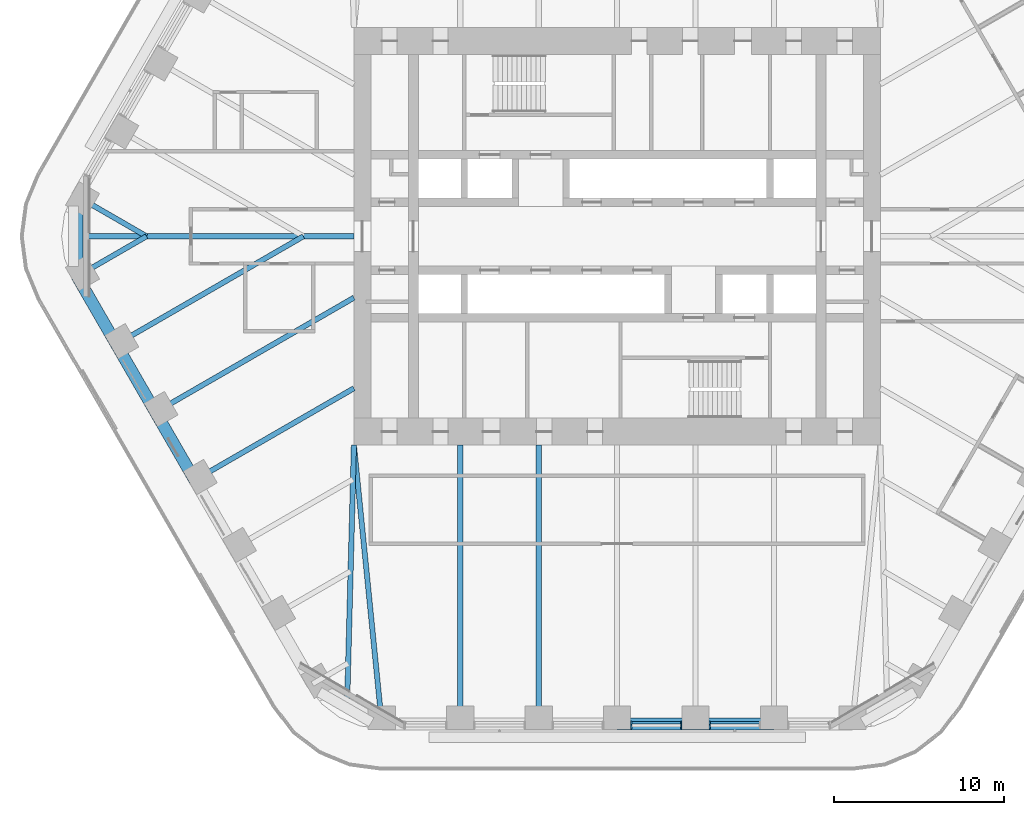
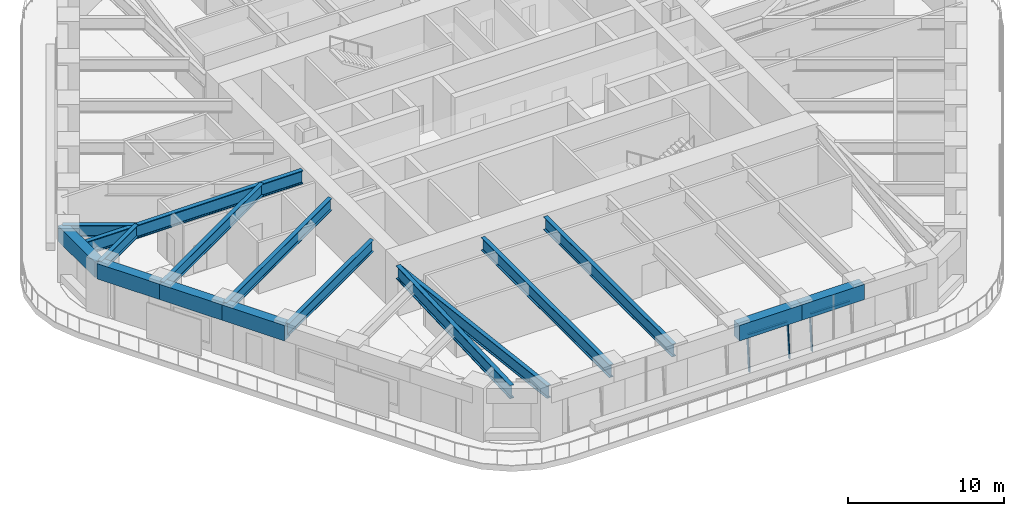
# One storey, part 3 of 20: 16 beams, 5 members, 2 elements without a shape of their own.
"""IFC4 building model written with IfcOpenShell, lengths in metres."""

from ifc_helpers import new_model, si_unit, direction, frame, origin, origin_2d, place, context, subcontext, project, spatial, rectangle, i_section, extrude, material, material_profile, profile_set, type_object, element, aggregate, save


model = new_model("IFC4")

# Units and contexts
model_context = context("Model", 3, precision=1e-05, world=origin(), true_north=direction((0.0, 1.0)))
body_context = subcontext(model_context, "Body", "Model", "MODEL_VIEW")
ifc_project = project(units=[si_unit("LENGTHUNIT", "METRE"), si_unit("AREAUNIT", "SQUARE_METRE"), si_unit("VOLUMEUNIT", "CUBIC_METRE"), si_unit("PLANEANGLEUNIT", "RADIAN"), si_unit("MASSUNIT", "GRAM", prefix="KILO")], contexts=[model_context])

# Site, building, storey
site_placement = place(None, origin())
site = spatial("IfcSite", under=ifc_project, at=site_placement, CompositionType="ELEMENT")
building_placement = place(site_placement, origin())
building = spatial("IfcBuilding", under=site, at=building_placement, Name="Tarfa Lantern Tower", CompositionType="ELEMENT")
storey_placement = place(building_placement, frame((0.0, 0.0, 232.300048828125)))
storey = spatial("IfcBuildingStorey", under=building, at=storey_placement, Name="L52", CompositionType="ELEMENT", Elevation=232.300048828125)

# Curtain wall, members
ifc_material_1 = material(Name="Aluminium framed curtain wall", Category="aluminium")
curtain_wall_type = type_object("IfcCurtainWallType", Name="CW3 CANTED GLAZING HIGH ZONE 2800", PredefinedType="USERDEFINED", material=ifc_material_1)
curtain_wall_1_placement = place(storey_placement, origin())
curtain_wall_1 = element("IfcCurtainWall", 1, at=curtain_wall_1_placement, inside=storey, type_object=curtain_wall_type, Name="CW3 S L52", ObjectType="CURTAIN WALL", PredefinedType="USERDEFINED")
ifc_material_2 = material(Name="Aluminium mullion", Category="aluminium")
ifc_material_profile_1 = material_profile(ifc_material_2, rectangle(XDim=0.06494140625, YDim=0.199951171875, at=origin_2d()), Name="AL MULLION 65x200")
ifc_profile_set_1 = profile_set([ifc_material_profile_1], Name="Aluminium mullion")
member_type_1 = type_object("IfcMemberType", Name="CWM1 MULLION 65x200", PredefinedType="MULLION", material=ifc_profile_set_1)
member_1_placement = place(storey_placement, frame((0.83251953125, -28.89990234375, 0.0), z_axis=(0.0, 0.088930399417, 0.996037842685), x_axis=(-1.0, 0.0, 0.0)))
member_1 = element("IfcMember", 2, at=member_1_placement, type_object=member_type_1, Name="CW3 mullion 1", PredefinedType="MULLION", context=body_context, shape_type="SweptSolid", body=[
    extrude(rectangle(XDim=0.06494140625, YDim=0.199951171875, at=origin_2d()), origin(), (0.0, 0.0, 1.0), 2.811279296875),
])
member_2_placement = place(storey_placement, frame((3.786376953125, -28.89990234375, 0.0), z_axis=(0.0, 0.088930399417, 0.996037842685), x_axis=(-1.0, 0.0, 0.0)))
member_2 = element("IfcMember", 3, at=member_2_placement, type_object=member_type_1, Name="CW3 mullion 2", PredefinedType="MULLION", context=body_context, shape_type="SweptSolid", body=[
    extrude(rectangle(XDim=0.06494140625, YDim=0.199951171875, at=origin_2d()), origin(), (0.0, 0.0, 1.0), 2.811279296875),
])

# Curtain wall, member
curtain_wall_2_placement = place(storey_placement, origin())
curtain_wall_2 = element("IfcCurtainWall", 4, at=curtain_wall_2_placement, inside=storey, type_object=curtain_wall_type, Name="CW3 S L52", ObjectType="CURTAIN WALL", PredefinedType="USERDEFINED")
member_3_placement = place(storey_placement, frame((5.451416015625, -28.89990234375, 0.0), z_axis=(0.0, 0.088930399417, 0.996037842685), x_axis=(-1.0, 0.0, 0.0)))
member_3 = element("IfcMember", 5, at=member_3_placement, type_object=member_type_1, Name="CW3 mullion 1", PredefinedType="MULLION", context=body_context, shape_type="SweptSolid", body=[
    extrude(rectangle(XDim=0.06494140625, YDim=0.199951171875, at=origin_2d()), origin(), (0.0, 0.0, 1.0), 2.811279296875),
])

# Member
ifc_material_3 = material(Name="Aluminium transom", Category="aluminium")
ifc_material_profile_2 = material_profile(ifc_material_3, rectangle(XDim=0.14990234375, YDim=0.06494140625, at=origin_2d()), Name="AL TRANSOM 150x65")
ifc_profile_set_2 = profile_set([ifc_material_profile_2], Name="Aluminium transom")
member_type_2 = type_object("IfcMemberType", Name="CWT1 TRANSOM 150x65", PredefinedType="USERDEFINED", material=ifc_profile_set_2)
member_4_placement = place(storey_placement, frame((0.864990234375, -28.65283203125, 2.767333984375), z_axis=(1.0, 0.0, 0.0), x_axis=(0.0, 1.0, 0.0)))
member_4 = element("IfcMember", 6, at=member_4_placement, type_object=member_type_2, Name="CW3 transom 1.2", ObjectType="TRANSOM", PredefinedType="USERDEFINED", context=body_context, shape_type="SweptSolid", body=[
    extrude(rectangle(XDim=0.14990234375, YDim=0.06494140625, at=origin_2d()), origin(), (0.0, 0.0, 1.0), 2.888916015625),
])

aggregate(curtain_wall_1, [member_1, member_2, member_4])

member_5_placement = place(storey_placement, frame((5.48388671875, -28.65283203125, 2.767333984375), z_axis=(1.0, 0.0, 0.0), x_axis=(0.0, 1.0, 0.0)))
member_5 = element("IfcMember", 7, at=member_5_placement, type_object=member_type_2, Name="CW3 transom 1.2", ObjectType="TRANSOM", PredefinedType="USERDEFINED", context=body_context, shape_type="SweptSolid", body=[
    extrude(rectangle(XDim=0.14990234375, YDim=0.06494140625, at=origin_2d()), origin(), (0.0, 0.0, 1.0), 2.888671875),
])

aggregate(curtain_wall_2, [member_3, member_5])

# Beams
ifc_material_4 = material(Name="Concrete C80/95", Category="concrete")
ifc_material_profile_3 = material_profile(ifc_material_4, rectangle(XDim=0.699951171875, YDim=1.199951171875, at=origin_2d()), Name="RC 700x1200")
ifc_profile_set_3 = profile_set([ifc_material_profile_3], Name="Concrete C80/95")
beam_type_1 = type_object("IfcBeamType", Name="EB3 RC 700x1200", PredefinedType="SPANDREL", material=ifc_profile_set_3)
beam_1_placement = place(storey_placement, frame((-31.800537109375, 2.360107421875, 3.39990234375), z_axis=(0.0, -1.0, 0.0), x_axis=(1.0, 0.0, 0.0)))
element("IfcBeam", 8, at=beam_1_placement, inside=storey, type_object=beam_type_1, Name="Edge beam NW6", PredefinedType="SPANDREL", context=body_context, shape_type="SweptSolid", body=[
    extrude(rectangle(XDim=0.699951171875, YDim=1.199951171875, at=origin_2d()), origin(), (0.0, 0.0, 1.0), 4.72021484375),
])
beam_2_placement = place(storey_placement, frame((-31.800537109375, -2.360107421875, 3.39990234375), z_axis=(0.500027479704, -0.866009537788, 0.0), x_axis=(0.866009537788, 0.500027479704, 0.0)))
element("IfcBeam", 9, at=beam_2_placement, inside=storey, type_object=beam_type_1, Name="Edge beam SW0", PredefinedType="SPANDREL", context=body_context, shape_type="SweptSolid", body=[
    extrude(rectangle(XDim=0.699951171875, YDim=1.199951171875, at=origin_2d()), origin(), (0.0, 0.0, 1.0), 4.618896484375),
])
for number, where, z_axis, x_axis, name in (
    (10, (-29.490966796875, -6.360107421875, 3.39990234375), (0.499987836815, -0.866032426089, 0.0), (0.866032426089, 0.499987836815, 0.0), "Edge beam SW1"),
    (11, (-27.181640625, -10.360107421875, 3.39990234375), (0.499987836815, -0.866032426089, 0.0), (0.866032426089, 0.499987836815, 0.0), "Edge beam SW2"),
):
    element("IfcBeam", number, at=place(storey_placement, frame(where, z_axis=z_axis, x_axis=x_axis)), inside=storey, type_object=beam_type_1, Name=name, PredefinedType="SPANDREL", context=body_context, shape_type="SweptSolid", body=[
        extrude(rectangle(XDim=0.699951171875, YDim=1.199951171875, at=origin_2d()), origin(), (0.0, 0.0, 1.0), 4.61865234375),
    ])
beam_3_placement = place(storey_placement, frame((0.0, -28.719970703125, 3.39990234375), z_axis=(1.0, 0.0, 0.0), x_axis=(0.0, 1.0, 0.0)))
element("IfcBeam", 12, at=beam_3_placement, inside=storey, type_object=beam_type_1, Name="Edge beam S3", PredefinedType="SPANDREL", context=body_context, shape_type="SweptSolid", body=[
    extrude(rectangle(XDim=0.699951171875, YDim=1.199951171875, at=origin_2d()), origin(), (0.0, 0.0, 1.0), 4.618896484375),
])
beam_4_placement = place(storey_placement, frame((4.618896484375, -28.719970703125, 3.39990234375), z_axis=(1.0, 0.0, 0.0), x_axis=(0.0, 1.0, 0.0)))
element("IfcBeam", 13, at=beam_4_placement, inside=storey, type_object=beam_type_1, Name="Edge beam S4", PredefinedType="SPANDREL", context=body_context, shape_type="SweptSolid", body=[
    extrude(rectangle(XDim=0.699951171875, YDim=1.199951171875, at=origin_2d()), origin(), (0.0, 0.0, 1.0), 4.61865234375),
])
ifc_material_5 = material(Name="Steel S460M", Category="steel")
ifc_material_profile_4 = material_profile(ifc_material_5, i_section(OverallWidth=0.302001953125, OverallDepth=1.008056640625, WebThickness=0.02099609375, FlangeThickness=0.0400390625, FilletRadius=0.030029296875, at=origin_2d()), Name="UB1016x305x349")
ifc_profile_set_4 = profile_set([ifc_material_profile_4], Name="Steel S460M")
beam_type_2 = type_object("IfcBeamType", Name="UB1016x305x349", PredefinedType="BEAM", material=ifc_profile_set_4)
beam_5_placement = place(storey_placement, frame((-13.8564453125, -28.719970703125, 3.495849609375), z_axis=(-0.099597466746, 0.995027810977, 0.0), x_axis=(-0.995027810977, -0.099597466746, 0.0)))
element("IfcBeam", 14, at=beam_5_placement, inside=storey, type_object=beam_type_2, Name="Floor beam S0", PredefinedType="BEAM", context=body_context, shape_type="SweptSolid", body=[
    extrude(i_section(OverallWidth=0.302001953125, OverallDepth=1.008056640625, WebThickness=0.02099609375, FlangeThickness=0.0400390625, FilletRadius=0.030029296875, at=origin_2d()), origin(), (0.0, 0.0, 1.0), 16.501953125),
])
for number, where, z_axis, x_axis, name in (
    (15, (-9.237548828125, -28.719970703125, 3.495849609375), (0.0, 1.0, 0.0), (-1.0, 0.0, 0.0), "Floor beam S1"),
    (16, (-4.618896484375, -28.719970703125, 3.495849609375), (0.0, 1.0, 0.0), (-1.0, 0.0, 0.0), "Floor beam S2"),
):
    element("IfcBeam", number, at=place(storey_placement, frame(where, z_axis=z_axis, x_axis=x_axis)), inside=storey, type_object=beam_type_2, Name=name, PredefinedType="BEAM", context=body_context, shape_type="SweptSolid", body=[
        extrude(i_section(OverallWidth=0.302001953125, OverallDepth=1.008056640625, WebThickness=0.02099609375, FlangeThickness=0.0400390625, FilletRadius=0.030029296875, at=origin_2d()), origin(), (0.0, 0.0, 1.0), 16.419921875),
    ])
ifc_material_profile_5 = material_profile(ifc_material_5, i_section(OverallWidth=0.30859375, OverallDepth=1.036376953125, WebThickness=0.030029296875, FlangeThickness=0.05419921875, FilletRadius=0.030029296875, at=origin_2d()), Name="UB1016x305x487")
ifc_profile_set_5 = profile_set([ifc_material_profile_5], Name="Steel S460M")
beam_type_3 = type_object("IfcBeamType", Name="UB1016x305x487", PredefinedType="BEAM", material=ifc_profile_set_5)
beam_6_placement = place(storey_placement, frame((-15.5, 0.0, 3.481689453125), z_axis=(-1.0, 0.0, 0.0), x_axis=(0.0, -1.0, 0.0)))
element("IfcBeam", 17, at=beam_6_placement, inside=storey, type_object=beam_type_3, Name="Hip girder W", PredefinedType="BEAM", context=body_context, shape_type="SweptSolid", body=[
    extrude(i_section(OverallWidth=0.30859375, OverallDepth=1.036376953125, WebThickness=0.030029296875, FlangeThickness=0.05419921875, FilletRadius=0.030029296875, at=origin_2d()), origin(), (0.0, 0.0, 1.0), 16.300537109375),
])
beam_7_placement = place(storey_placement, frame((-15.5, -12.300048828125, 3.481689453125), z_axis=(-0.026247301989, -0.999655480222, 0.0), x_axis=(0.999655480222, -0.026247301989, 0.0)))
element("IfcBeam", 18, at=beam_7_placement, inside=storey, type_object=beam_type_3, Name="Hip girder SW", PredefinedType="BEAM", context=body_context, shape_type="SweptSolid", body=[
    extrude(i_section(OverallWidth=0.30859375, OverallDepth=1.036376953125, WebThickness=0.030029296875, FlangeThickness=0.05419921875, FilletRadius=0.030029296875, at=origin_2d()), origin(), (0.0, 0.0, 1.0), 15.245361328125),
])
ifc_material_profile_6 = material_profile(ifc_material_5, i_section(OverallWidth=0.305419921875, OverallDepth=0.91845703125, WebThickness=0.017333984375, FlangeThickness=0.02783203125, FilletRadius=0.01904296875, at=origin_2d()), Name="UB914x305x253")
ifc_profile_set_6 = profile_set([ifc_material_profile_6], Name="Steel S460M")
beam_type_4 = type_object("IfcBeamType", Name="UB914x305x253", PredefinedType="BEAM", material=ifc_profile_set_6)
for number, where, z_axis, x_axis, name in (
    (19, (-31.800537109375, 2.360107421875, 3.540771484375), (0.866015897305, -0.500016465344, 0.0), (0.500016465344, 0.866015897305, 0.0), "Floor beam NW6"),
    (20, (-31.800537109375, -2.360107421875, 3.540771484375), (0.866015897305, 0.500016465344, 0.0), (-0.500016465344, 0.866015897305, 0.0), "Floor beam SW0"),
):
    element("IfcBeam", number, at=place(storey_placement, frame(where, z_axis=z_axis, x_axis=x_axis)), inside=storey, type_object=beam_type_4, Name=name, PredefinedType="BEAM", context=body_context, shape_type="SweptSolid", body=[
        extrude(i_section(OverallWidth=0.305419921875, OverallDepth=0.91845703125, WebThickness=0.017333984375, FlangeThickness=0.02783203125, FilletRadius=0.01904296875, at=origin_2d()), origin(), (0.0, 0.0, 1.0), 4.719970703125),
    ])
beam_8_placement = place(storey_placement, frame((-29.490966796875, -6.360107421875, 3.540771484375), z_axis=(0.866022258038, 0.500005448553, 0.0), x_axis=(-0.500005448553, 0.866022258038, 0.0)))
element("IfcBeam", 21, at=beam_8_placement, inside=storey, type_object=beam_type_4, Name="Floor beam SW1", PredefinedType="BEAM", context=body_context, shape_type="SweptSolid", body=[
    extrude(i_section(OverallWidth=0.305419921875, OverallDepth=0.91845703125, WebThickness=0.017333984375, FlangeThickness=0.02783203125, FilletRadius=0.01904296875, at=origin_2d()), origin(), (0.0, 0.0, 1.0), 12.719970703125),
])
beam_9_placement = place(storey_placement, frame((-27.181640625, -10.360107421875, 3.540771484375), z_axis=(0.866018002818, 0.500012818631, 0.0), x_axis=(-0.500012818631, 0.866018002818, 0.0)))
element("IfcBeam", 22, at=beam_9_placement, inside=storey, type_object=beam_type_4, Name="Floor beam SW2", PredefinedType="BEAM", context=body_context, shape_type="SweptSolid", body=[
    extrude(i_section(OverallWidth=0.305419921875, OverallDepth=0.91845703125, WebThickness=0.017333984375, FlangeThickness=0.02783203125, FilletRadius=0.01904296875, at=origin_2d()), origin(), (0.0, 0.0, 1.0), 13.489013671875),
])
beam_10_placement = place(storey_placement, frame((-24.872314453125, -14.360107421875, 3.540771484375), z_axis=(0.8660244219, 0.500001700669, 0.0), x_axis=(-0.500001700669, 0.8660244219, 0.0)))
element("IfcBeam", 23, at=beam_10_placement, inside=storey, type_object=beam_type_4, Name="Floor beam SW3", PredefinedType="BEAM", context=body_context, shape_type="SweptSolid", body=[
    extrude(i_section(OverallWidth=0.305419921875, OverallDepth=0.91845703125, WebThickness=0.017333984375, FlangeThickness=0.02783203125, FilletRadius=0.01904296875, at=origin_2d()), origin(), (0.0, 0.0, 1.0), 10.822265625),
])

save(model, "model.ifc")
